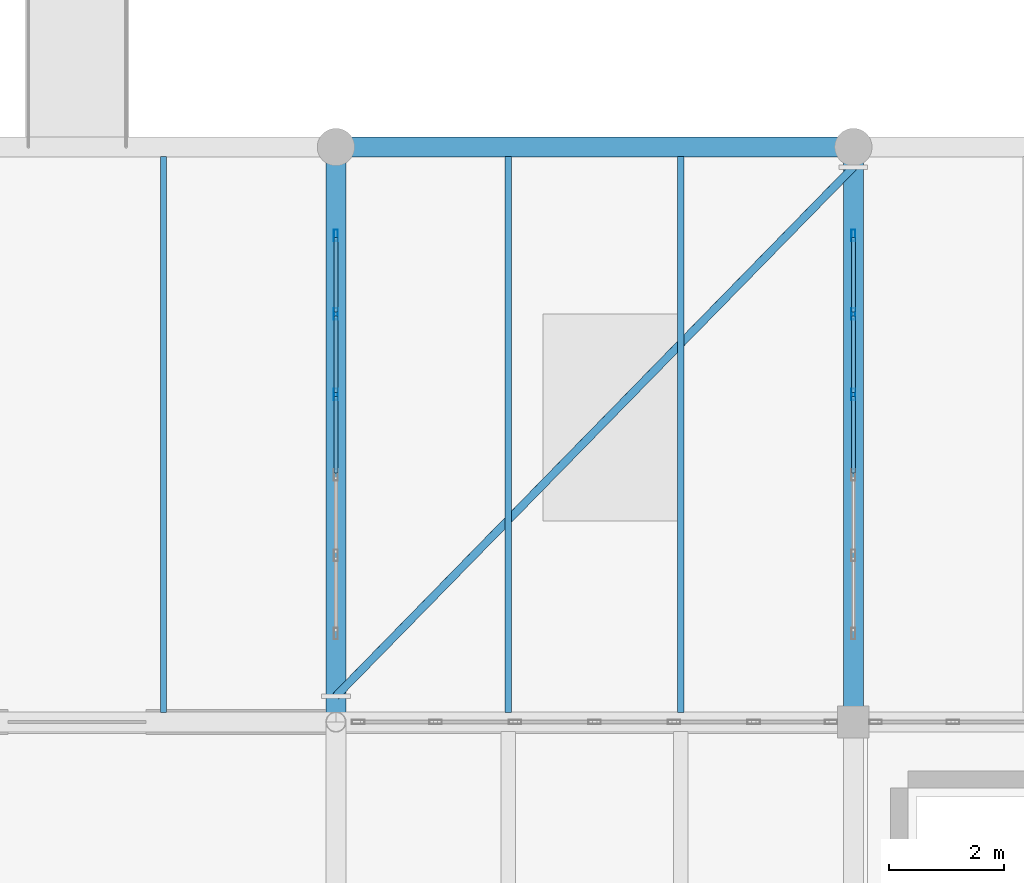
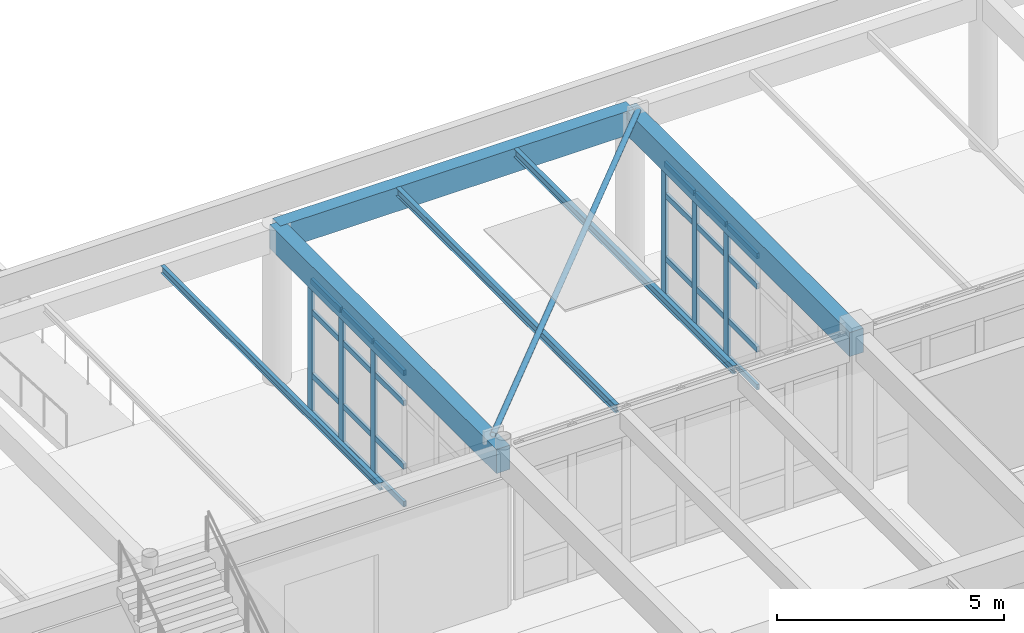
# One storey, part 104 of 186: 31 members, 6 beams, 2 elements without a shape of their own.
"""IFC4 building model written with IfcOpenShell, lengths in metres."""

from ifc_helpers import new_model, si_unit, direction, frame, origin, origin_2d, place, context, subcontext, project, spatial, rectangle, hollow_rectangle, hollow_circle, i_section, extrude, material, layer, layer_set, material_profile, profile_set, type_object, element, aggregate, save


model = new_model("IFC4")

# Units and contexts
model_context = context("Model", 3, precision=1e-05, world=origin(), true_north=direction((0.0, 1.0)))
body_context = subcontext(model_context, "Body", "Model", "MODEL_VIEW")
ifc_project = project(units=[si_unit("LENGTHUNIT", "METRE"), si_unit("AREAUNIT", "SQUARE_METRE"), si_unit("VOLUMEUNIT", "CUBIC_METRE"), si_unit("PLANEANGLEUNIT", "RADIAN"), si_unit("MASSUNIT", "GRAM", prefix="KILO")], contexts=[model_context])

# Site, building, storey
site_placement = place(None, origin())
site = spatial("IfcSite", under=ifc_project, at=site_placement, CompositionType="ELEMENT")
building_placement = place(site_placement, origin())
building = spatial("IfcBuilding", under=site, at=building_placement, Name="Ornek Quay Market", CompositionType="ELEMENT")
storey_placement = place(building_placement, origin())
storey = spatial("IfcBuildingStorey", under=building, at=storey_placement, Name="L00", CompositionType="ELEMENT", Elevation=0.0)

# Beams
ifc_material_1 = material(Name="Concrete C35/45", Category="concrete")
ifc_material_profile_1 = material_profile(ifc_material_1, rectangle(XDim=0.35009765625, YDim=0.64990234375, at=origin_2d()), Name="RC 350x650", Category="concrete")
ifc_profile_set_1 = profile_set([ifc_material_profile_1], Name="Concrete C35/45")
beam_type_1 = type_object("IfcBeamType", Name="BM-CONC-350x650", PredefinedType="BEAM", material=ifc_profile_set_1)
beam_1_placement = place(storey_placement, frame((99.0, 120.0, 3.864990234375), z_axis=(1.0, 0.0, 0.0), x_axis=(0.0, 1.0, 0.0)))
element("IfcBeam", 1, at=beam_1_placement, inside=storey, type_object=beam_type_1, Name="Primary beam B-CN1-021", PredefinedType="BEAM", context=body_context, shape_type="SweptSolid", body=[
    extrude(rectangle(XDim=0.35009765625, YDim=0.64990234375, at=origin_2d()), origin(), (0.0, 0.0, 1.0), 9.0),
])
for number, where, z_axis, x_axis, name in (
    (2, (99.0, 110.0, 3.864990234375), (0.0, 1.0, 0.0), (-1.0, 0.0, 0.0), "Primary beam B-CN1-029"),
    (3, (108.0, 110.0, 3.864990234375), (0.0, 1.0, 0.0), (-1.0, 0.0, 0.0), "Primary beam B-CN1-030"),
):
    element("IfcBeam", number, at=place(storey_placement, frame(where, z_axis=z_axis, x_axis=x_axis)), inside=storey, type_object=beam_type_1, Name=name, PredefinedType="BEAM", context=body_context, shape_type="SweptSolid", body=[
        extrude(rectangle(XDim=0.35009765625, YDim=0.64990234375, at=origin_2d()), origin(), (0.0, 0.0, 1.0), 10.0),
    ])
ifc_material_2 = material(Name="Steel S355", Category="steel")
ifc_material_profile_2 = material_profile(ifc_material_2, i_section(OverallWidth=0.10009765625, OverallDepth=0.199951171875, WebThickness=0.005615234375, FlangeThickness=0.008544921875, FilletRadius=0.011962890625, at=origin_2d()), Name="IPE 200", Category="steel")
ifc_profile_set_2 = profile_set([ifc_material_profile_2], Name="Steel S355")
beam_type_2 = type_object("IfcBeamType", Name="BM-STL-IPE200", PredefinedType="JOIST", material=ifc_profile_set_2)
beam_2_placement = place(storey_placement, frame((96.0, 110.1669921875, 4.090087890625), z_axis=(0.0, 1.0, 0.0), x_axis=(-1.0, 0.0, 0.0)))
element("IfcBeam", 4, at=beam_2_placement, inside=storey, type_object=beam_type_2, Name="Secondary joist SB-02-008", PredefinedType="JOIST", context=body_context, shape_type="SweptSolid", body=[
    extrude(i_section(OverallWidth=0.10009765625, OverallDepth=0.199951171875, WebThickness=0.005615234375, FlangeThickness=0.008544921875, FilletRadius=0.011962890625, at=origin_2d()), origin(), (0.0, 0.0, 1.0), 9.666015625),
])
ifc_material_profile_3 = material_profile(ifc_material_2, i_section(OverallWidth=0.110107421875, OverallDepth=0.219970703125, WebThickness=0.005859375, FlangeThickness=0.00927734375, FilletRadius=0.011962890625, at=origin_2d()), Name="IPE 220", Category="steel")
ifc_profile_set_3 = profile_set([ifc_material_profile_3], Name="Steel S355")
beam_type_3 = type_object("IfcBeamType", Name="BM-STL-IPE220", PredefinedType="JOIST", material=ifc_profile_set_3)
for number, where, z_axis, x_axis, name in (
    (5, (102.0, 110.1669921875, 4.080078125), (0.0, 1.0, 0.0), (-1.0, 0.0, 0.0), "Secondary joist SB-03-007"),
    (6, (105.0, 110.1669921875, 4.080078125), (0.0, 1.0, 0.0), (-1.0, 0.0, 0.0), "Secondary joist SB-03-008"),
):
    element("IfcBeam", number, at=place(storey_placement, frame(where, z_axis=z_axis, x_axis=x_axis)), inside=storey, type_object=beam_type_3, Name=name, PredefinedType="JOIST", context=body_context, shape_type="SweptSolid", body=[
        extrude(i_section(OverallWidth=0.110107421875, OverallDepth=0.219970703125, WebThickness=0.005859375, FlangeThickness=0.00927734375, FilletRadius=0.011962890625, at=origin_2d()), origin(), (0.0, 0.0, 1.0), 9.666015625),
    ])

# Curtain wall, members
ifc_material_3 = material(Name="Anodised bronze aluminium and triple low-e glass", Category="aluminium")
ifc_layer = layer(ifc_material_3, 0.219970703125, Name="Anodised bronze aluminium and triple low-e glass", Category="aluminium")
ifc_layer_set = layer_set([ifc_layer], Name="Anodised bronze aluminium and triple low-e glass")
curtain_wall_type = type_object("IfcCurtainWallType", Name="CW-PORCH-MOD1500", PredefinedType="USERDEFINED", material=ifc_layer_set)
curtain_wall_1_placement = place(storey_placement, origin())
curtain_wall_1 = element("IfcCurtainWall", 7, at=curtain_wall_1_placement, inside=storey, type_object=curtain_wall_type, Name="Curtain wall CW-153", ObjectType="CURTAIN WALL", PredefinedType="USERDEFINED")
ifc_material_4 = material(Name="Anodised aluminium 6063-T6", Category="aluminium")
ifc_material_profile_4 = material_profile(ifc_material_4, hollow_rectangle(XDim=0.070068359375, YDim=0.199951171875, WallThickness=0.0048828125, at=origin_2d()), Name="CW-MUL-70x200", Category="aluminium")
ifc_profile_set_4 = profile_set([ifc_material_profile_4], Name="Anodised aluminium 6063-T6")
member_type_1 = type_object("IfcMemberType", Name="CW-MUL-70x200", PredefinedType="MULLION", material=ifc_profile_set_4)
member_1_placement = place(storey_placement, frame((99.0, 115.699951171875, 0.0), z_axis=(0.0, 0.0, 1.0), x_axis=(-1.0, 0.0, 0.0)))
member_1 = element("IfcMember", 8, at=member_1_placement, type_object=member_type_1, Name="CW-153 mullion 4", PredefinedType="MULLION", context=body_context, shape_type="SweptSolid", body=[
    extrude(hollow_rectangle(XDim=0.070068359375, YDim=0.199951171875, WallThickness=0.0048828125, at=origin_2d()), origin(), (0.0, 0.0, 1.0), 3.60009765625),
])
member_2_placement = place(storey_placement, frame((99.0, 117.10009765625, 0.0), z_axis=(0.0, 0.0, 1.0), x_axis=(-1.0, 0.0, 0.0)))
member_2 = element("IfcMember", 9, at=member_2_placement, type_object=member_type_1, Name="CW-153 mullion 5", PredefinedType="MULLION", context=body_context, shape_type="SweptSolid", body=[
    extrude(hollow_rectangle(XDim=0.070068359375, YDim=0.199951171875, WallThickness=0.0048828125, at=origin_2d()), origin(), (0.0, 0.0, 1.0), 3.60009765625),
])
member_3_placement = place(storey_placement, frame((99.0, 118.465087890625, 0.0), z_axis=(0.0, 0.0, 1.0), x_axis=(-1.0, 0.0, 0.0)))
member_3 = element("IfcMember", 10, at=member_3_placement, type_object=member_type_1, Name="CW-153 mullion 6", PredefinedType="MULLION", context=body_context, shape_type="SweptSolid", body=[
    extrude(hollow_rectangle(XDim=0.070068359375, YDim=0.199951171875, WallThickness=0.0048828125, at=origin_2d()), origin(), (0.0, 0.0, 1.0), 3.60009765625),
])

curtain_wall_2_placement = place(storey_placement, origin())
curtain_wall_2 = element("IfcCurtainWall", 11, at=curtain_wall_2_placement, inside=storey, type_object=curtain_wall_type, Name="Curtain wall CW-154", ObjectType="CURTAIN WALL", PredefinedType="USERDEFINED")
member_4_placement = place(storey_placement, frame((108.0, 115.699951171875, 0.0), z_axis=(0.0, 0.0, 1.0), x_axis=(-1.0, 0.0, 0.0)))
member_4 = element("IfcMember", 12, at=member_4_placement, type_object=member_type_1, Name="CW-154 mullion 4", PredefinedType="MULLION", context=body_context, shape_type="SweptSolid", body=[
    extrude(hollow_rectangle(XDim=0.070068359375, YDim=0.199951171875, WallThickness=0.0048828125, at=origin_2d()), origin(), (0.0, 0.0, 1.0), 3.60009765625),
])
member_5_placement = place(storey_placement, frame((108.0, 117.10009765625, 0.0), z_axis=(0.0, 0.0, 1.0), x_axis=(-1.0, 0.0, 0.0)))
member_5 = element("IfcMember", 13, at=member_5_placement, type_object=member_type_1, Name="CW-154 mullion 5", PredefinedType="MULLION", context=body_context, shape_type="SweptSolid", body=[
    extrude(hollow_rectangle(XDim=0.070068359375, YDim=0.199951171875, WallThickness=0.0048828125, at=origin_2d()), origin(), (0.0, 0.0, 1.0), 3.60009765625),
])
member_6_placement = place(storey_placement, frame((108.0, 118.465087890625, 0.0), z_axis=(0.0, 0.0, 1.0), x_axis=(-1.0, 0.0, 0.0)))
member_6 = element("IfcMember", 14, at=member_6_placement, type_object=member_type_1, Name="CW-154 mullion 6", PredefinedType="MULLION", context=body_context, shape_type="SweptSolid", body=[
    extrude(hollow_rectangle(XDim=0.070068359375, YDim=0.199951171875, WallThickness=0.0048828125, at=origin_2d()), origin(), (0.0, 0.0, 1.0), 3.60009765625),
])

# Member
ifc_material_profile_5 = material_profile(ifc_material_4, hollow_rectangle(XDim=0.070068359375, YDim=0.14990234375, WallThickness=0.0048828125, at=origin_2d()), Name="CW-TRN-70x150", Category="aluminium")
ifc_profile_set_5 = profile_set([ifc_material_profile_5], Name="Anodised aluminium 6063-T6")
member_type_2 = type_object("IfcMemberType", Name="CW-TRN-70x150", PredefinedType="USERDEFINED", material=ifc_profile_set_5)
member_7_placement = place(storey_placement, frame((99.0, 114.3349609375, 0.034912109375), z_axis=(0.0, 1.0, 0.0), x_axis=(-1.0, 0.0, 0.0)))
member_7 = element("IfcMember", 15, at=member_7_placement, type_object=member_type_2, Name="CW-153 transom 3.1", ObjectType="TRANSOM", PredefinedType="USERDEFINED", context=body_context, shape_type="SweptSolid", body=[
    extrude(hollow_rectangle(XDim=0.070068359375, YDim=0.14990234375, WallThickness=0.0048828125, at=origin_2d()), origin(), (0.0, 0.0, 1.0), 1.330078125),
])

member_8_placement = place(storey_placement, frame((99.0, 114.3349609375, 1.050048828125), z_axis=(0.0, 1.0, 0.0), x_axis=(-1.0, 0.0, 0.0)))
member_8 = element("IfcMember", 16, at=member_8_placement, type_object=member_type_2, Name="CW-153 transom 3.2", ObjectType="TRANSOM", PredefinedType="USERDEFINED", context=body_context, shape_type="SweptSolid", body=[
    extrude(hollow_rectangle(XDim=0.070068359375, YDim=0.14990234375, WallThickness=0.0048828125, at=origin_2d()), origin(), (0.0, 0.0, 1.0), 1.330078125),
])

member_9_placement = place(storey_placement, frame((99.0, 114.3349609375, 2.75), z_axis=(0.0, 1.0, 0.0), x_axis=(-1.0, 0.0, 0.0)))
member_9 = element("IfcMember", 17, at=member_9_placement, type_object=member_type_2, Name="CW-153 transom 3.3", ObjectType="TRANSOM", PredefinedType="USERDEFINED", context=body_context, shape_type="SweptSolid", body=[
    extrude(hollow_rectangle(XDim=0.070068359375, YDim=0.14990234375, WallThickness=0.0048828125, at=origin_2d()), origin(), (0.0, 0.0, 1.0), 1.330078125),
])

member_10_placement = place(storey_placement, frame((99.0, 114.3349609375, 3.56494140625), z_axis=(0.0, 1.0, 0.0), x_axis=(-1.0, 0.0, 0.0)))
member_10 = element("IfcMember", 18, at=member_10_placement, type_object=member_type_2, Name="CW-153 transom 3.4", ObjectType="TRANSOM", PredefinedType="USERDEFINED", context=body_context, shape_type="SweptSolid", body=[
    extrude(hollow_rectangle(XDim=0.070068359375, YDim=0.14990234375, WallThickness=0.0048828125, at=origin_2d()), origin(), (0.0, 0.0, 1.0), 1.330078125),
])

member_11_placement = place(storey_placement, frame((99.0, 115.735107421875, 0.034912109375), z_axis=(0.0, 1.0, 0.0), x_axis=(-1.0, 0.0, 0.0)))
member_11 = element("IfcMember", 19, at=member_11_placement, type_object=member_type_2, Name="CW-153 transom 4.1", ObjectType="TRANSOM", PredefinedType="USERDEFINED", context=body_context, shape_type="SweptSolid", body=[
    extrude(hollow_rectangle(XDim=0.070068359375, YDim=0.14990234375, WallThickness=0.0048828125, at=origin_2d()), origin(), (0.0, 0.0, 1.0), 1.329833984375),
])

member_12_placement = place(storey_placement, frame((99.0, 115.735107421875, 1.050048828125), z_axis=(0.0, 1.0, 0.0), x_axis=(-1.0, 0.0, 0.0)))
member_12 = element("IfcMember", 20, at=member_12_placement, type_object=member_type_2, Name="CW-153 transom 4.2", ObjectType="TRANSOM", PredefinedType="USERDEFINED", context=body_context, shape_type="SweptSolid", body=[
    extrude(hollow_rectangle(XDim=0.070068359375, YDim=0.14990234375, WallThickness=0.0048828125, at=origin_2d()), origin(), (0.0, 0.0, 1.0), 1.329833984375),
])

member_13_placement = place(storey_placement, frame((99.0, 115.735107421875, 2.75), z_axis=(0.0, 1.0, 0.0), x_axis=(-1.0, 0.0, 0.0)))
member_13 = element("IfcMember", 21, at=member_13_placement, type_object=member_type_2, Name="CW-153 transom 4.3", ObjectType="TRANSOM", PredefinedType="USERDEFINED", context=body_context, shape_type="SweptSolid", body=[
    extrude(hollow_rectangle(XDim=0.070068359375, YDim=0.14990234375, WallThickness=0.0048828125, at=origin_2d()), origin(), (0.0, 0.0, 1.0), 1.329833984375),
])

member_14_placement = place(storey_placement, frame((99.0, 115.735107421875, 3.56494140625), z_axis=(0.0, 1.0, 0.0), x_axis=(-1.0, 0.0, 0.0)))
member_14 = element("IfcMember", 22, at=member_14_placement, type_object=member_type_2, Name="CW-153 transom 4.4", ObjectType="TRANSOM", PredefinedType="USERDEFINED", context=body_context, shape_type="SweptSolid", body=[
    extrude(hollow_rectangle(XDim=0.070068359375, YDim=0.14990234375, WallThickness=0.0048828125, at=origin_2d()), origin(), (0.0, 0.0, 1.0), 1.329833984375),
])

member_15_placement = place(storey_placement, frame((99.0, 117.135009765625, 0.034912109375), z_axis=(0.0, 1.0, 0.0), x_axis=(-1.0, 0.0, 0.0)))
member_15 = element("IfcMember", 23, at=member_15_placement, type_object=member_type_2, Name="CW-153 transom 5.1", ObjectType="TRANSOM", PredefinedType="USERDEFINED", context=body_context, shape_type="SweptSolid", body=[
    extrude(hollow_rectangle(XDim=0.070068359375, YDim=0.14990234375, WallThickness=0.0048828125, at=origin_2d()), origin(), (0.0, 0.0, 1.0), 1.294921875),
])

member_16_placement = place(storey_placement, frame((99.0, 117.135009765625, 1.050048828125), z_axis=(0.0, 1.0, 0.0), x_axis=(-1.0, 0.0, 0.0)))
member_16 = element("IfcMember", 24, at=member_16_placement, type_object=member_type_2, Name="CW-153 transom 5.2", ObjectType="TRANSOM", PredefinedType="USERDEFINED", context=body_context, shape_type="SweptSolid", body=[
    extrude(hollow_rectangle(XDim=0.070068359375, YDim=0.14990234375, WallThickness=0.0048828125, at=origin_2d()), origin(), (0.0, 0.0, 1.0), 1.294921875),
])

member_17_placement = place(storey_placement, frame((99.0, 117.135009765625, 2.75), z_axis=(0.0, 1.0, 0.0), x_axis=(-1.0, 0.0, 0.0)))
member_17 = element("IfcMember", 25, at=member_17_placement, type_object=member_type_2, Name="CW-153 transom 5.3", ObjectType="TRANSOM", PredefinedType="USERDEFINED", context=body_context, shape_type="SweptSolid", body=[
    extrude(hollow_rectangle(XDim=0.070068359375, YDim=0.14990234375, WallThickness=0.0048828125, at=origin_2d()), origin(), (0.0, 0.0, 1.0), 1.294921875),
])

member_18_placement = place(storey_placement, frame((99.0, 117.135009765625, 3.56494140625), z_axis=(0.0, 1.0, 0.0), x_axis=(-1.0, 0.0, 0.0)))
member_18 = element("IfcMember", 26, at=member_18_placement, type_object=member_type_2, Name="CW-153 transom 5.4", ObjectType="TRANSOM", PredefinedType="USERDEFINED", context=body_context, shape_type="SweptSolid", body=[
    extrude(hollow_rectangle(XDim=0.070068359375, YDim=0.14990234375, WallThickness=0.0048828125, at=origin_2d()), origin(), (0.0, 0.0, 1.0), 1.294921875),
])

aggregate(curtain_wall_1, [member_1, member_2, member_3, member_7, member_8, member_9, member_10, member_11, member_12, member_13, member_14, member_15, member_16, member_17, member_18])

member_19_placement = place(storey_placement, frame((108.0, 114.3349609375, 0.034912109375), z_axis=(0.0, 1.0, 0.0), x_axis=(-1.0, 0.0, 0.0)))
member_19 = element("IfcMember", 27, at=member_19_placement, type_object=member_type_2, Name="CW-154 transom 3.1", ObjectType="TRANSOM", PredefinedType="USERDEFINED", context=body_context, shape_type="SweptSolid", body=[
    extrude(hollow_rectangle(XDim=0.070068359375, YDim=0.14990234375, WallThickness=0.0048828125, at=origin_2d()), origin(), (0.0, 0.0, 1.0), 1.330078125),
])

member_20_placement = place(storey_placement, frame((108.0, 114.3349609375, 1.050048828125), z_axis=(0.0, 1.0, 0.0), x_axis=(-1.0, 0.0, 0.0)))
member_20 = element("IfcMember", 28, at=member_20_placement, type_object=member_type_2, Name="CW-154 transom 3.2", ObjectType="TRANSOM", PredefinedType="USERDEFINED", context=body_context, shape_type="SweptSolid", body=[
    extrude(hollow_rectangle(XDim=0.070068359375, YDim=0.14990234375, WallThickness=0.0048828125, at=origin_2d()), origin(), (0.0, 0.0, 1.0), 1.330078125),
])

member_21_placement = place(storey_placement, frame((108.0, 114.3349609375, 2.75), z_axis=(0.0, 1.0, 0.0), x_axis=(-1.0, 0.0, 0.0)))
member_21 = element("IfcMember", 29, at=member_21_placement, type_object=member_type_2, Name="CW-154 transom 3.3", ObjectType="TRANSOM", PredefinedType="USERDEFINED", context=body_context, shape_type="SweptSolid", body=[
    extrude(hollow_rectangle(XDim=0.070068359375, YDim=0.14990234375, WallThickness=0.0048828125, at=origin_2d()), origin(), (0.0, 0.0, 1.0), 1.330078125),
])

member_22_placement = place(storey_placement, frame((108.0, 114.3349609375, 3.56494140625), z_axis=(0.0, 1.0, 0.0), x_axis=(-1.0, 0.0, 0.0)))
member_22 = element("IfcMember", 30, at=member_22_placement, type_object=member_type_2, Name="CW-154 transom 3.4", ObjectType="TRANSOM", PredefinedType="USERDEFINED", context=body_context, shape_type="SweptSolid", body=[
    extrude(hollow_rectangle(XDim=0.070068359375, YDim=0.14990234375, WallThickness=0.0048828125, at=origin_2d()), origin(), (0.0, 0.0, 1.0), 1.330078125),
])

member_23_placement = place(storey_placement, frame((108.0, 115.735107421875, 0.034912109375), z_axis=(0.0, 1.0, 0.0), x_axis=(-1.0, 0.0, 0.0)))
member_23 = element("IfcMember", 31, at=member_23_placement, type_object=member_type_2, Name="CW-154 transom 4.1", ObjectType="TRANSOM", PredefinedType="USERDEFINED", context=body_context, shape_type="SweptSolid", body=[
    extrude(hollow_rectangle(XDim=0.070068359375, YDim=0.14990234375, WallThickness=0.0048828125, at=origin_2d()), origin(), (0.0, 0.0, 1.0), 1.329833984375),
])

member_24_placement = place(storey_placement, frame((108.0, 115.735107421875, 1.050048828125), z_axis=(0.0, 1.0, 0.0), x_axis=(-1.0, 0.0, 0.0)))
member_24 = element("IfcMember", 32, at=member_24_placement, type_object=member_type_2, Name="CW-154 transom 4.2", ObjectType="TRANSOM", PredefinedType="USERDEFINED", context=body_context, shape_type="SweptSolid", body=[
    extrude(hollow_rectangle(XDim=0.070068359375, YDim=0.14990234375, WallThickness=0.0048828125, at=origin_2d()), origin(), (0.0, 0.0, 1.0), 1.329833984375),
])

member_25_placement = place(storey_placement, frame((108.0, 115.735107421875, 2.75), z_axis=(0.0, 1.0, 0.0), x_axis=(-1.0, 0.0, 0.0)))
member_25 = element("IfcMember", 33, at=member_25_placement, type_object=member_type_2, Name="CW-154 transom 4.3", ObjectType="TRANSOM", PredefinedType="USERDEFINED", context=body_context, shape_type="SweptSolid", body=[
    extrude(hollow_rectangle(XDim=0.070068359375, YDim=0.14990234375, WallThickness=0.0048828125, at=origin_2d()), origin(), (0.0, 0.0, 1.0), 1.329833984375),
])

member_26_placement = place(storey_placement, frame((108.0, 115.735107421875, 3.56494140625), z_axis=(0.0, 1.0, 0.0), x_axis=(-1.0, 0.0, 0.0)))
member_26 = element("IfcMember", 34, at=member_26_placement, type_object=member_type_2, Name="CW-154 transom 4.4", ObjectType="TRANSOM", PredefinedType="USERDEFINED", context=body_context, shape_type="SweptSolid", body=[
    extrude(hollow_rectangle(XDim=0.070068359375, YDim=0.14990234375, WallThickness=0.0048828125, at=origin_2d()), origin(), (0.0, 0.0, 1.0), 1.329833984375),
])

member_27_placement = place(storey_placement, frame((108.0, 117.135009765625, 0.034912109375), z_axis=(0.0, 1.0, 0.0), x_axis=(-1.0, 0.0, 0.0)))
member_27 = element("IfcMember", 35, at=member_27_placement, type_object=member_type_2, Name="CW-154 transom 5.1", ObjectType="TRANSOM", PredefinedType="USERDEFINED", context=body_context, shape_type="SweptSolid", body=[
    extrude(hollow_rectangle(XDim=0.070068359375, YDim=0.14990234375, WallThickness=0.0048828125, at=origin_2d()), origin(), (0.0, 0.0, 1.0), 1.294921875),
])

member_28_placement = place(storey_placement, frame((108.0, 117.135009765625, 1.050048828125), z_axis=(0.0, 1.0, 0.0), x_axis=(-1.0, 0.0, 0.0)))
member_28 = element("IfcMember", 36, at=member_28_placement, type_object=member_type_2, Name="CW-154 transom 5.2", ObjectType="TRANSOM", PredefinedType="USERDEFINED", context=body_context, shape_type="SweptSolid", body=[
    extrude(hollow_rectangle(XDim=0.070068359375, YDim=0.14990234375, WallThickness=0.0048828125, at=origin_2d()), origin(), (0.0, 0.0, 1.0), 1.294921875),
])

member_29_placement = place(storey_placement, frame((108.0, 117.135009765625, 2.75), z_axis=(0.0, 1.0, 0.0), x_axis=(-1.0, 0.0, 0.0)))
member_29 = element("IfcMember", 37, at=member_29_placement, type_object=member_type_2, Name="CW-154 transom 5.3", ObjectType="TRANSOM", PredefinedType="USERDEFINED", context=body_context, shape_type="SweptSolid", body=[
    extrude(hollow_rectangle(XDim=0.070068359375, YDim=0.14990234375, WallThickness=0.0048828125, at=origin_2d()), origin(), (0.0, 0.0, 1.0), 1.294921875),
])

member_30_placement = place(storey_placement, frame((108.0, 117.135009765625, 3.56494140625), z_axis=(0.0, 1.0, 0.0), x_axis=(-1.0, 0.0, 0.0)))
member_30 = element("IfcMember", 38, at=member_30_placement, type_object=member_type_2, Name="CW-154 transom 5.4", ObjectType="TRANSOM", PredefinedType="USERDEFINED", context=body_context, shape_type="SweptSolid", body=[
    extrude(hollow_rectangle(XDim=0.070068359375, YDim=0.14990234375, WallThickness=0.0048828125, at=origin_2d()), origin(), (0.0, 0.0, 1.0), 1.294921875),
])

aggregate(curtain_wall_2, [member_4, member_5, member_6, member_19, member_20, member_21, member_22, member_23, member_24, member_25, member_26, member_27, member_28, member_29, member_30])

ifc_material_profile_6 = material_profile(ifc_material_2, hollow_circle(Radius=0.06982421875, WallThickness=0.008056640625, at=origin_2d()), Name="CHS 139.7x8", Category="steel")
ifc_profile_set_6 = profile_set([ifc_material_profile_6], Name="Steel S355")
member_type_3 = type_object("IfcMemberType", Name="MBR-BRC-CHS139", PredefinedType="BRACE", material=ifc_profile_set_6)
member_31_placement = place(storey_placement, frame((99.0, 110.449951171875, 4.260009765625), z_axis=(0.699296051965, 0.714832170307, 0.0), x_axis=(-0.714832170307, 0.699296051965, 0.0)))
element("IfcMember", 39, at=member_31_placement, inside=storey, type_object=member_type_3, Name="Quay colonnade wind brace QB-04", PredefinedType="BRACE", context=body_context, shape_type="SweptSolid", body=[
    extrude(hollow_circle(Radius=0.06982421875, WallThickness=0.008056640625, at=origin_2d()), origin(), (0.0, 0.0, 1.0), 12.8701171875),
])

save(model, "model.ifc")
